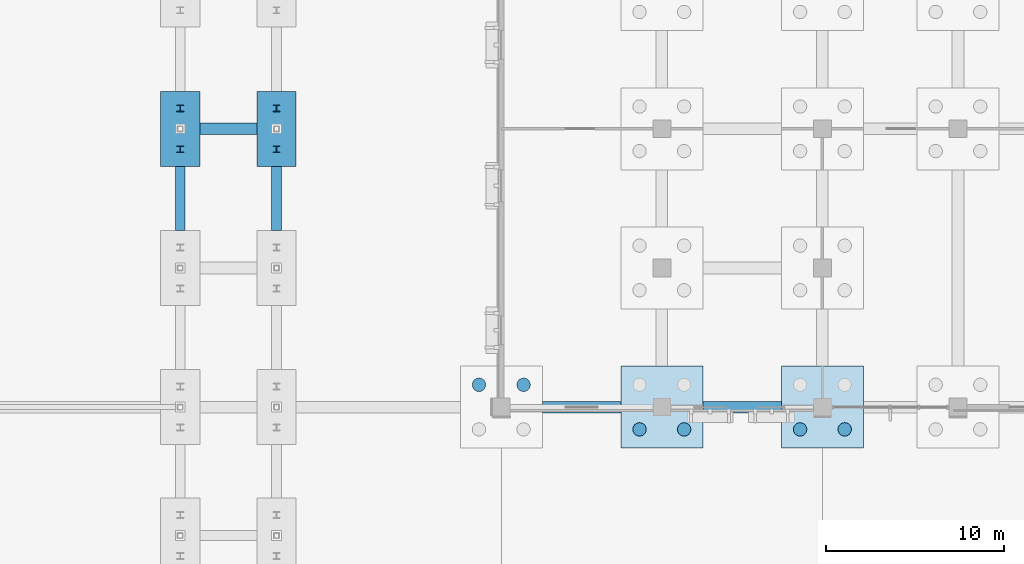
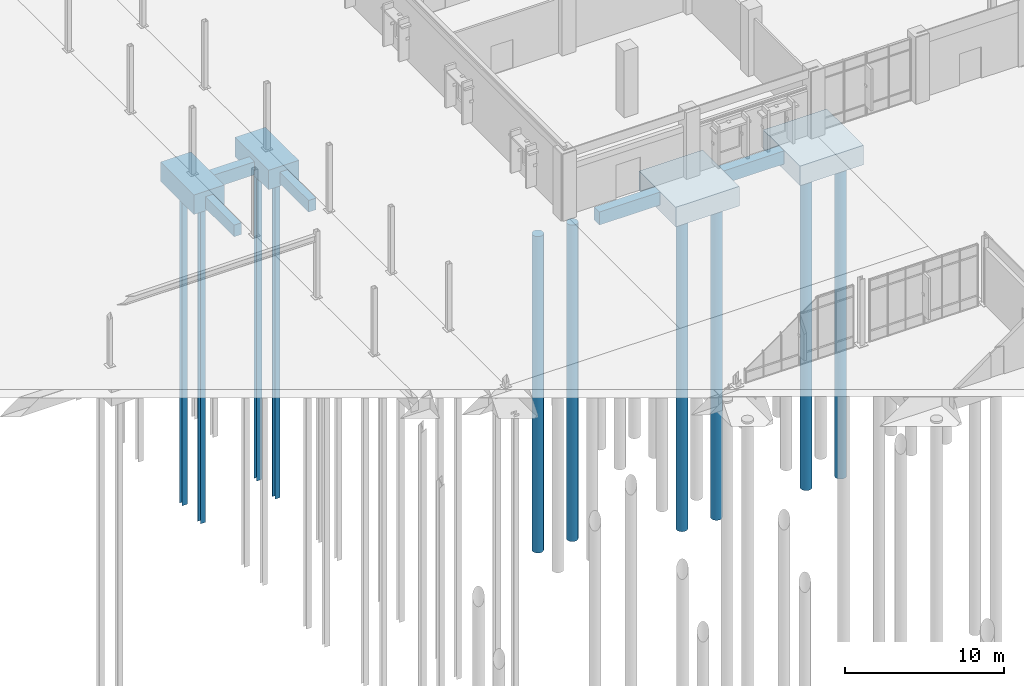
# One storey, part 7 of 94: 10 piles, 9 footings.
"""IFC4 building model written with IfcOpenShell, lengths in metres."""

from ifc_helpers import new_model, si_unit, direction, frame, origin, origin_2d, place, context, subcontext, project, spatial, rectangle, circle, i_section, extrude, material, material_profile, profile_set, type_object, element, save


model = new_model("IFC4")

# Units and contexts
model_context = context("Model", 3, precision=1e-05, world=origin(), true_north=direction((0.0, 1.0)))
body_context = subcontext(model_context, "Body", "Model", "MODEL_VIEW")
ifc_project = project(units=[si_unit("LENGTHUNIT", "METRE"), si_unit("AREAUNIT", "SQUARE_METRE"), si_unit("VOLUMEUNIT", "CUBIC_METRE"), si_unit("PLANEANGLEUNIT", "RADIAN"), si_unit("MASSUNIT", "GRAM", prefix="KILO")], contexts=[model_context])

# Site, building, storey
site_placement = place(None, origin())
site = spatial("IfcSite", under=ifc_project, at=site_placement, CompositionType="ELEMENT")
building_placement = place(site_placement, origin())
building = spatial("IfcBuilding", under=site, at=building_placement, Name="Vervanel Yard Central Library", CompositionType="ELEMENT")
storey_placement = place(building_placement, origin())
storey = spatial("IfcBuildingStorey", under=building, at=storey_placement, Name="L00", CompositionType="ELEMENT", Elevation=0.0)

# Piles
ifc_material_1 = material(Name="Concrete C40/50", Category="concrete")
ifc_material_profile_1 = material_profile(ifc_material_1, circle(Radius=0.375, at=origin_2d()), Name="BP D750", Category="concrete")
ifc_profile_set_1 = profile_set([ifc_material_profile_1], Name="Concrete C40/50")
pile_type_1 = type_object("IfcPileType", Name="Bored Concrete Pile D750", PredefinedType="BORED", material=ifc_profile_set_1)
for number, where, z_axis, x_axis, name in (
    (1, (88.75, 44.449951171875, -1.75), (0.0, 0.0, -1.0), (1.0, 0.0, 0.0), "Bored Concrete Pile 279 under PCAP-068"),
    (2, (91.25, 44.449951171875, -1.75), (0.0, 0.0, -1.0), (1.0, 0.0, 0.0), "Bored Concrete Pile 280 under PCAP-068"),
    (3, (97.75, 41.949951171875, -1.75), (0.0, 0.0, -1.0), (1.0, 0.0, 0.0), "Bored Concrete Pile 289 under PCAP-071"),
    (4, (100.25, 41.949951171875, -1.75), (0.0, 0.0, -1.0), (1.0, 0.0, 0.0), "Bored Concrete Pile 290 under PCAP-071"),
    (5, (106.75, 41.949951171875, -1.75), (0.0, 0.0, -1.0), (1.0, 0.0, 0.0), "Bored Concrete Pile 313 under PCAP-077"),
    (6, (109.25, 41.949951171875, -1.75), (0.0, 0.0, -1.0), (1.0, 0.0, 0.0), "Bored Concrete Pile 314 under PCAP-077"),
):
    element("IfcPile", number, at=place(storey_placement, frame(where, z_axis=z_axis, x_axis=x_axis)), inside=storey, type_object=pile_type_1, Name=name, PredefinedType="BORED", context=body_context, shape_type="SweptSolid", body=[
        extrude(circle(Radius=0.375, at=origin_2d()), origin(), (0.0, 0.0, 1.0), 24.25),
    ])

# Footings
footing_type_1 = type_object("IfcFootingType", Name="Bridge Pier 2-Pile Cap 2200x4200x1500", PredefinedType="PILE_CAP", material=ifc_material_1)
for number, where, z_axis, x_axis, name in (
    (7, (72.0, 58.800048828125, -1.50390625), (0.0, 0.0, 1.0), (1.0, 0.0, 0.0), "Combined Pile Cap PCAP-207 (PC-06)"),
    (8, (77.39990234375, 58.800048828125, -1.50390625), (0.0, 0.0, 1.0), (1.0, 0.0, 0.0), "Combined Pile Cap PCAP-214 (PC-06)"),
):
    element("IfcFooting", number, at=place(storey_placement, frame(where, z_axis=z_axis, x_axis=x_axis)), inside=storey, type_object=footing_type_1, Name=name, PredefinedType="PILE_CAP", context=body_context, shape_type="SweptSolid", body=[
        extrude(rectangle(XDim=2.199951171875, YDim=4.199951171875, at=origin_2d()), origin(), (0.0, 0.0, 1.0), 1.5),
    ])
footing_type_2 = type_object("IfcFootingType", Name="Combined 4-Pile Cap 4600x4600x1500", PredefinedType="PILE_CAP", material=ifc_material_1)
for number, where, z_axis, x_axis, name in (
    (9, (99.0, 43.199951171875, -1.89990234375), (0.0, 0.0, 1.0), (1.0, 0.0, 0.0), "Combined Pile Cap PCAP-071 (PC-03)"),
    (10, (108.0, 43.199951171875, -1.89990234375), (0.0, 0.0, 1.0), (1.0, 0.0, 0.0), "Combined Pile Cap PCAP-077 (PC-03)"),
):
    element("IfcFooting", number, at=place(storey_placement, frame(where, z_axis=z_axis, x_axis=x_axis)), inside=storey, type_object=footing_type_2, Name=name, PredefinedType="PILE_CAP", context=body_context, shape_type="SweptSolid", body=[
        extrude(rectangle(XDim=4.60009765625, YDim=4.60009765625, at=origin_2d()), origin(), (0.0, 0.0, 1.0), 1.5),
    ])
ifc_material_profile_2 = material_profile(ifc_material_1, rectangle(XDim=0.550048828125, YDim=0.89990234375, at=origin_2d()), Name="RC 550x900", Category="concrete")
ifc_profile_set_2 = profile_set([ifc_material_profile_2], Name="Concrete C40/50")
footing_type_3 = type_object("IfcFootingType", Name="Concrete Footing Beam 550x900", PredefinedType="FOOTING_BEAM", material=ifc_profile_set_2)
for number, where, z_axis, x_axis, name in (
    (11, (72.0, 53.10009765625, -0.8701171875), (0.0, 1.0, 0.0), (-1.0, 0.0, 0.0), "Concrete Footing Beam FB-Y-219"),
    (12, (77.39990234375, 53.10009765625, -0.8701171875), (0.0, 1.0, 0.0), (-1.0, 0.0, 0.0), "Concrete Footing Beam FB-Y-228"),
):
    element("IfcFooting", number, at=place(storey_placement, frame(where, z_axis=z_axis, x_axis=x_axis)), inside=storey, type_object=footing_type_3, Name=name, PredefinedType="FOOTING_BEAM", context=body_context, shape_type="SweptSolid", body=[
        extrude(rectangle(XDim=0.550048828125, YDim=0.89990234375, at=origin_2d()), origin(), (0.0, 0.0, 1.0), 3.599853515625),
    ])
ifc_material_profile_3 = material_profile(ifc_material_1, rectangle(XDim=0.64990234375, YDim=1.0, at=origin_2d()), Name="RC 650x1000", Category="concrete")
ifc_profile_set_3 = profile_set([ifc_material_profile_3], Name="Concrete C40/50")
footing_type_4 = type_object("IfcFootingType", Name="Concrete Footing Beam 650x1000", PredefinedType="FOOTING_BEAM", material=ifc_profile_set_3)
for number, where, z_axis, x_axis, name in (
    (13, (92.300048828125, 43.199951171875, -0.919921875), (1.0, 0.0, 0.0), (0.0, 1.0, 0.0), "Concrete Footing Beam FB-X-051"),
    (14, (101.300048828125, 43.199951171875, -0.919921875), (1.0, 0.0, 0.0), (0.0, 1.0, 0.0), "Concrete Footing Beam FB-X-052"),
):
    element("IfcFooting", number, at=place(storey_placement, frame(where, z_axis=z_axis, x_axis=x_axis)), inside=storey, type_object=footing_type_4, Name=name, PredefinedType="FOOTING_BEAM", context=body_context, shape_type="SweptSolid", body=[
        extrude(rectangle(XDim=0.64990234375, YDim=1.0, at=origin_2d()), origin(), (0.0, 0.0, 1.0), 4.39990234375),
    ])
footing_placement = place(storey_placement, frame((73.10009765625, 58.800048828125, -0.919921875), z_axis=(1.0, 0.0, 0.0), x_axis=(0.0, 1.0, 0.0)))
element("IfcFooting", 15, at=footing_placement, inside=storey, type_object=footing_type_4, Name="Concrete Footing Beam FB-X-062", PredefinedType="FOOTING_BEAM", context=body_context, shape_type="SweptSolid", body=[
    extrude(rectangle(XDim=0.64990234375, YDim=1.0, at=origin_2d()), origin(), (0.0, 0.0, 1.0), 3.199951171875),
])

# Piles
ifc_material_2 = material(Name="Steel ASTM A992 Grade 50", Category="steel")
ifc_material_profile_4 = material_profile(ifc_material_2, i_section(OverallWidth=0.37841796875, OverallDepth=0.360595703125, WebThickness=0.0205078125, FlangeThickness=0.0205078125, at=origin_2d()), Name="HP14X117", Category="steel")
ifc_profile_set_4 = profile_set([ifc_material_profile_4], Name="Steel ASTM A992 Grade 50")
pile_type_2 = type_object("IfcPileType", Name="Driven Steel H-Pile HP14X117", PredefinedType="DRIVEN", material=ifc_profile_set_4)
for number, where, z_axis, x_axis, name in (
    (16, (72.0, 59.949951171875, -26.0), (0.0, 0.0, 1.0), (1.0, 0.0, 0.0), "Driven Steel Pile 620 under PCAP-207"),
    (17, (77.39990234375, 59.949951171875, -26.0), (0.0, 0.0, 1.0), (1.0, 0.0, 0.0), "Driven Steel Pile 634 under PCAP-214"),
):
    element("IfcPile", number, at=place(storey_placement, frame(where, z_axis=z_axis, x_axis=x_axis)), inside=storey, type_object=pile_type_2, Name=name, PredefinedType="DRIVEN", context=body_context, shape_type="SweptSolid", body=[
        extrude(i_section(OverallWidth=0.37841796875, OverallDepth=0.360595703125, WebThickness=0.0205078125, FlangeThickness=0.0205078125, at=origin_2d()), origin(), (0.0, 0.0, 1.0), 24.64599609375),
    ])
ifc_material_profile_5 = material_profile(ifc_material_2, i_section(OverallWidth=0.373291015625, OverallDepth=0.3505859375, WebThickness=0.015625, FlangeThickness=0.015625, at=origin_2d()), Name="HP14X89", Category="steel")
ifc_profile_set_5 = profile_set([ifc_material_profile_5], Name="Steel ASTM A992 Grade 50")
pile_type_3 = type_object("IfcPileType", Name="Driven Steel H-Pile HP14X89", PredefinedType="DRIVEN", material=ifc_profile_set_5)
for number, where, z_axis, x_axis, name in (
    (18, (72.0, 57.64990234375, -26.0), (0.0, 0.0, 1.0), (1.0, 0.0, 0.0), "Driven Steel Pile 619 under PCAP-207"),
    (19, (77.39990234375, 57.64990234375, -26.0), (0.0, 0.0, 1.0), (1.0, 0.0, 0.0), "Driven Steel Pile 633 under PCAP-214"),
):
    element("IfcPile", number, at=place(storey_placement, frame(where, z_axis=z_axis, x_axis=x_axis)), inside=storey, type_object=pile_type_3, Name=name, PredefinedType="DRIVEN", context=body_context, shape_type="SweptSolid", body=[
        extrude(i_section(OverallWidth=0.373291015625, OverallDepth=0.3505859375, WebThickness=0.015625, FlangeThickness=0.015625, at=origin_2d()), origin(), (0.0, 0.0, 1.0), 24.64599609375),
    ])

save(model, "model.ifc")
